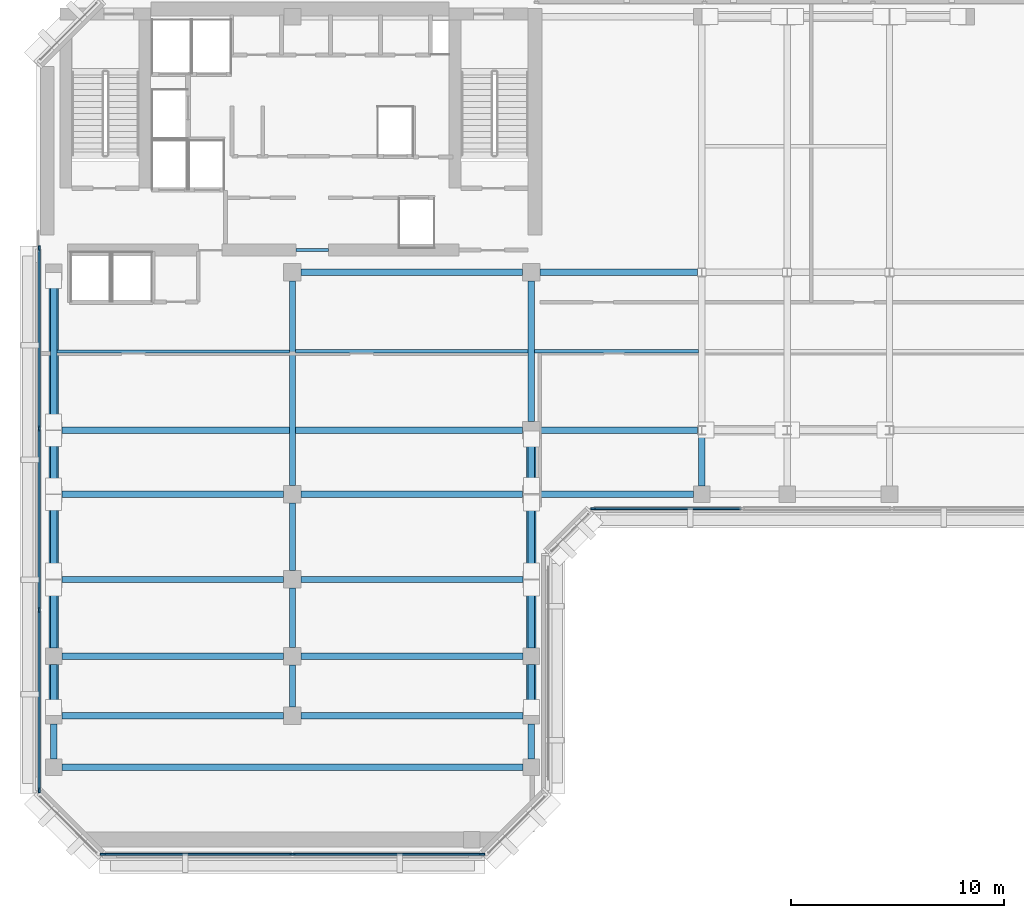
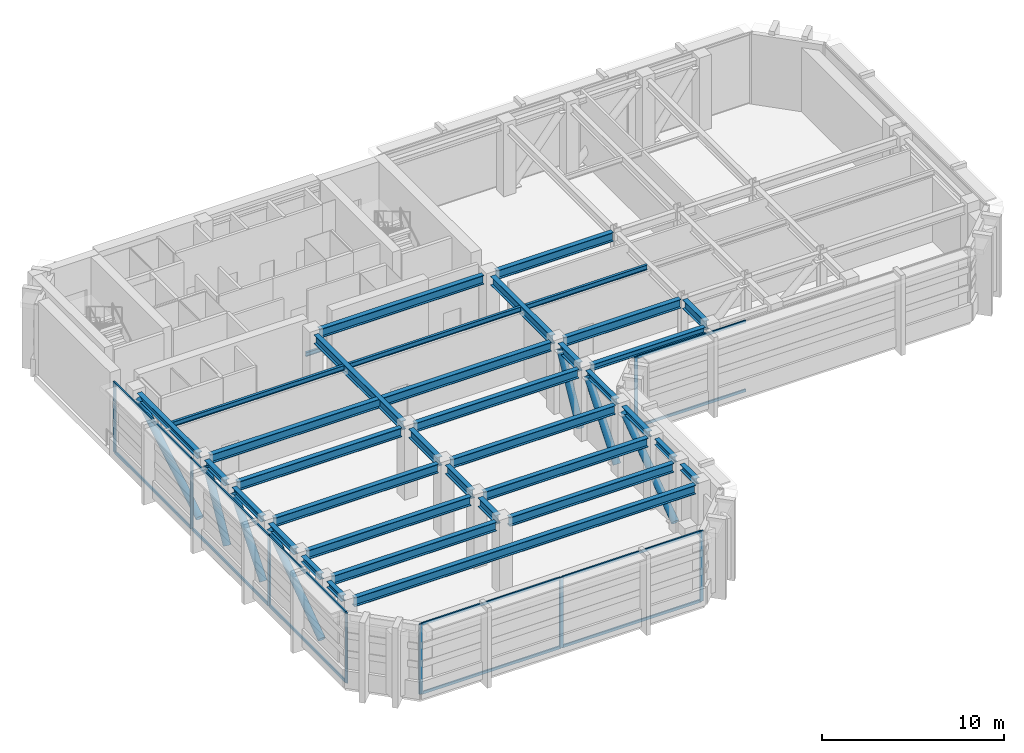
# One storey, part 2 of 11: 35 beams, 27 members, 3 elements without a shape of their own.
"""IFC4 building model written with IfcOpenShell, lengths in metres."""

from ifc_helpers import new_model, si_unit, direction, frame, origin, origin_2d, place, context, subcontext, project, spatial, rectangle, hollow_circle, i_section, extrude, material, layer, layer_set, material_profile, profile_set, type_object, element, aggregate, save


model = new_model("IFC4")

# Units and contexts
model_context = context("Model", 3, precision=1e-05, world=origin(), true_north=direction((0.0, 1.0)))
body_context = subcontext(model_context, "Body", "Model", "MODEL_VIEW")
ifc_project = project(units=[si_unit("LENGTHUNIT", "METRE"), si_unit("AREAUNIT", "SQUARE_METRE"), si_unit("VOLUMEUNIT", "CUBIC_METRE"), si_unit("PLANEANGLEUNIT", "RADIAN"), si_unit("MASSUNIT", "GRAM", prefix="KILO")], contexts=[model_context])

# Site, building, storey
site_placement = place(None, origin())
site = spatial("IfcSite", under=ifc_project, at=site_placement, CompositionType="ELEMENT")
building_placement = place(site_placement, origin())
building = spatial("IfcBuilding", under=site, at=building_placement, Name="Kefirva Bronze Tower", CompositionType="ELEMENT")
storey_placement = place(building_placement, frame((0.0, 0.0, 251.4599609375)))
storey = spatial("IfcBuildingStorey", under=building, at=storey_placement, Name="L61", CompositionType="ELEMENT", Elevation=251.4599609375)

# Curtain wall, members
ifc_material_1 = material(Name="Bronze anodised aluminium", Category="aluminium")
ifc_layer = layer(ifc_material_1, 0.219970703125, Name="Bronze anodised aluminium")
ifc_layer_set = layer_set([ifc_layer], Name="Bronze anodised aluminium")
curtain_wall_type = type_object("IfcCurtainWallType", Name="Refuge Acoustic Louvre Curtain Screen", PredefinedType="USERDEFINED", material=ifc_layer_set)
curtain_wall_1_placement = place(storey_placement, origin())
curtain_wall_1 = element("IfcCurtainWall", 1, at=curtain_wall_1_placement, inside=storey, type_object=curtain_wall_type, Name="L61 Curtain Wall 1", ObjectType="LOUVRE SCREEN WALL", PredefinedType="USERDEFINED")
ifc_material_profile_1 = material_profile(ifc_material_1, rectangle(XDim=0.090087890625, YDim=0.219970703125, at=origin_2d()), Name="ALU 90x220")
ifc_profile_set_1 = profile_set([ifc_material_profile_1], Name="Bronze anodised aluminium")
member_type_1 = type_object("IfcMemberType", Name="Bronze Mullion 90x220", PredefinedType="MULLION", material=ifc_profile_set_1)
member_1_placement = place(storey_placement, frame((3.10009765625, 5.919921875, 0.0), z_axis=(0.0, 0.0, 1.0), x_axis=(0.0, 1.0, 0.0)))
member_1 = element("IfcMember", 2, at=member_1_placement, type_object=member_type_1, Name="CW-06 mullion 1", PredefinedType="MULLION", context=body_context, shape_type="SweptSolid", body=[
    extrude(rectangle(XDim=0.090087890625, YDim=0.219970703125, at=origin_2d()), origin(), (0.0, 0.0, 1.0), 4.699951171875),
])
member_2_placement = place(storey_placement, frame((12.0, 5.919921875, 0.0), z_axis=(0.0, 0.0, 1.0), x_axis=(0.0, 1.0, 0.0)))
member_2 = element("IfcMember", 3, at=member_2_placement, type_object=member_type_1, Name="CW-06 mullion 2", PredefinedType="MULLION", context=body_context, shape_type="SweptSolid", body=[
    extrude(rectangle(XDim=0.090087890625, YDim=0.219970703125, at=origin_2d()), origin(), (0.0, 0.0, 1.0), 4.699951171875),
])
member_3_placement = place(storey_placement, frame((20.89990234375, 5.919921875, 0.0), z_axis=(0.0, 0.0, 1.0), x_axis=(0.0, 1.0, 0.0)))
member_3 = element("IfcMember", 4, at=member_3_placement, type_object=member_type_1, Name="CW-06 mullion 3", PredefinedType="MULLION", context=body_context, shape_type="SweptSolid", body=[
    extrude(rectangle(XDim=0.090087890625, YDim=0.219970703125, at=origin_2d()), origin(), (0.0, 0.0, 1.0), 4.699951171875),
])

# Curtain wall, member
curtain_wall_2_placement = place(storey_placement, origin())
curtain_wall_2 = element("IfcCurtainWall", 5, at=curtain_wall_2_placement, inside=storey, type_object=curtain_wall_type, Name="L61 Curtain Wall 2", ObjectType="LOUVRE SCREEN WALL", PredefinedType="USERDEFINED")
member_4_placement = place(storey_placement, frame((26.10009765625, 22.1201171875, 0.0), z_axis=(0.0, 0.0, 1.0), x_axis=(0.0, 1.0, 0.0)))
member_4 = element("IfcMember", 6, at=member_4_placement, type_object=member_type_1, Name="CW-06 mullion 1", PredefinedType="MULLION", context=body_context, shape_type="SweptSolid", body=[
    extrude(rectangle(XDim=0.090087890625, YDim=0.219970703125, at=origin_2d()), origin(), (0.0, 0.0, 1.0), 4.699951171875),
])

# Curtain wall, members
curtain_wall_3_placement = place(storey_placement, origin())
curtain_wall_3 = element("IfcCurtainWall", 7, at=curtain_wall_3_placement, inside=storey, type_object=curtain_wall_type, Name="L61 Curtain Wall 5", ObjectType="LOUVRE SCREEN WALL", PredefinedType="USERDEFINED")
member_5_placement = place(storey_placement, frame((0.1201171875, 34.35009765625, 0.0), z_axis=(0.0, 0.0, 1.0), x_axis=(1.0, 0.0, 0.0)))
member_5 = element("IfcMember", 8, at=member_5_placement, type_object=member_type_1, Name="CW-06 mullion 1", PredefinedType="MULLION", context=body_context, shape_type="SweptSolid", body=[
    extrude(rectangle(XDim=0.090087890625, YDim=0.219970703125, at=origin_2d()), origin(), (0.0, 0.0, 1.0), 4.699951171875),
])
member_6_placement = place(storey_placement, frame((0.1201171875, 25.881591796875, 0.0), z_axis=(0.0, 0.0, 1.0), x_axis=(1.0, 0.0, 0.0)))
member_6 = element("IfcMember", 9, at=member_6_placement, type_object=member_type_1, Name="CW-06 mullion 2", PredefinedType="MULLION", context=body_context, shape_type="SweptSolid", body=[
    extrude(rectangle(XDim=0.090087890625, YDim=0.219970703125, at=origin_2d()), origin(), (0.0, 0.0, 1.0), 4.699951171875),
])
member_7_placement = place(storey_placement, frame((0.1201171875, 17.368408203125, 0.0), z_axis=(0.0, 0.0, 1.0), x_axis=(1.0, 0.0, 0.0)))
member_7 = element("IfcMember", 10, at=member_7_placement, type_object=member_type_1, Name="CW-06 mullion 3", PredefinedType="MULLION", context=body_context, shape_type="SweptSolid", body=[
    extrude(rectangle(XDim=0.090087890625, YDim=0.219970703125, at=origin_2d()), origin(), (0.0, 0.0, 1.0), 4.699951171875),
])
member_8_placement = place(storey_placement, frame((0.1201171875, 8.89990234375, 0.0), z_axis=(0.0, 0.0, 1.0), x_axis=(1.0, 0.0, 0.0)))
member_8 = element("IfcMember", 11, at=member_8_placement, type_object=member_type_1, Name="CW-06 mullion 4", PredefinedType="MULLION", context=body_context, shape_type="SweptSolid", body=[
    extrude(rectangle(XDim=0.090087890625, YDim=0.219970703125, at=origin_2d()), origin(), (0.0, 0.0, 1.0), 4.699951171875),
])

# Member
ifc_material_profile_2 = material_profile(ifc_material_1, rectangle(XDim=0.090087890625, YDim=0.179931640625, at=origin_2d()), Name="ALU 90x180")
ifc_profile_set_2 = profile_set([ifc_material_profile_2], Name="Bronze anodised aluminium")
member_type_2 = type_object("IfcMemberType", Name="Bronze Transom 90x180", PredefinedType="USERDEFINED", material=ifc_profile_set_2)
member_9_placement = place(storey_placement, frame((3.14501953125, 5.919921875, 0.044921875), z_axis=(1.0, 0.0, 0.0), x_axis=(0.0, 1.0, 0.0)))
member_9 = element("IfcMember", 12, at=member_9_placement, type_object=member_type_2, Name="CW-06 transom 1.1", ObjectType="TRANSOM", PredefinedType="USERDEFINED", context=body_context, shape_type="SweptSolid", body=[
    extrude(rectangle(XDim=0.090087890625, YDim=0.179931640625, at=origin_2d()), origin(), (0.0, 0.0, 1.0), 8.81005859375),
])

member_10_placement = place(storey_placement, frame((3.14501953125, 5.919921875, 4.655029296875), z_axis=(1.0, 0.0, 0.0), x_axis=(0.0, 1.0, 0.0)))
member_10 = element("IfcMember", 13, at=member_10_placement, type_object=member_type_2, Name="CW-06 transom 1.2", ObjectType="TRANSOM", PredefinedType="USERDEFINED", context=body_context, shape_type="SweptSolid", body=[
    extrude(rectangle(XDim=0.090087890625, YDim=0.179931640625, at=origin_2d()), origin(), (0.0, 0.0, 1.0), 8.81005859375),
])

member_11_placement = place(storey_placement, frame((12.044921875, 5.919921875, 0.044921875), z_axis=(1.0, 0.0, 0.0), x_axis=(0.0, 1.0, 0.0)))
member_11 = element("IfcMember", 14, at=member_11_placement, type_object=member_type_2, Name="CW-06 transom 2.1", ObjectType="TRANSOM", PredefinedType="USERDEFINED", context=body_context, shape_type="SweptSolid", body=[
    extrude(rectangle(XDim=0.090087890625, YDim=0.179931640625, at=origin_2d()), origin(), (0.0, 0.0, 1.0), 8.81005859375),
])

member_12_placement = place(storey_placement, frame((12.044921875, 5.919921875, 4.655029296875), z_axis=(1.0, 0.0, 0.0), x_axis=(0.0, 1.0, 0.0)))
member_12 = element("IfcMember", 15, at=member_12_placement, type_object=member_type_2, Name="CW-06 transom 2.2", ObjectType="TRANSOM", PredefinedType="USERDEFINED", context=body_context, shape_type="SweptSolid", body=[
    extrude(rectangle(XDim=0.090087890625, YDim=0.179931640625, at=origin_2d()), origin(), (0.0, 0.0, 1.0), 8.81005859375),
])

aggregate(curtain_wall_1, [member_1, member_2, member_3, member_9, member_10, member_11, member_12])

member_13_placement = place(storey_placement, frame((26.14501953125, 22.1201171875, 0.044921875), z_axis=(1.0, 0.0, 0.0), x_axis=(0.0, 1.0, 0.0)))
member_13 = element("IfcMember", 16, at=member_13_placement, type_object=member_type_2, Name="CW-06 transom 1.1", ObjectType="TRANSOM", PredefinedType="USERDEFINED", context=body_context, shape_type="SweptSolid", body=[
    extrude(rectangle(XDim=0.090087890625, YDim=0.179931640625, at=origin_2d()), origin(), (0.0, 0.0, 1.0), 6.89501953125),
])

member_14_placement = place(storey_placement, frame((26.14501953125, 22.1201171875, 4.655029296875), z_axis=(1.0, 0.0, 0.0), x_axis=(0.0, 1.0, 0.0)))
member_14 = element("IfcMember", 17, at=member_14_placement, type_object=member_type_2, Name="CW-06 transom 1.2", ObjectType="TRANSOM", PredefinedType="USERDEFINED", context=body_context, shape_type="SweptSolid", body=[
    extrude(rectangle(XDim=0.090087890625, YDim=0.179931640625, at=origin_2d()), origin(), (0.0, 0.0, 1.0), 6.89501953125),
])

aggregate(curtain_wall_2, [member_4, member_13, member_14])

member_15_placement = place(storey_placement, frame((0.1201171875, 34.304931640625, 0.044921875), z_axis=(0.0, -1.0, 0.0), x_axis=(1.0, 0.0, 0.0)))
member_15 = element("IfcMember", 18, at=member_15_placement, type_object=member_type_2, Name="CW-06 transom 1.1", ObjectType="TRANSOM", PredefinedType="USERDEFINED", context=body_context, shape_type="SweptSolid", body=[
    extrude(rectangle(XDim=0.090087890625, YDim=0.179931640625, at=origin_2d()), origin(), (0.0, 0.0, 1.0), 8.378173828125),
])

member_16_placement = place(storey_placement, frame((0.1201171875, 34.304931640625, 4.655029296875), z_axis=(0.0, -1.0, 0.0), x_axis=(1.0, 0.0, 0.0)))
member_16 = element("IfcMember", 19, at=member_16_placement, type_object=member_type_2, Name="CW-06 transom 1.2", ObjectType="TRANSOM", PredefinedType="USERDEFINED", context=body_context, shape_type="SweptSolid", body=[
    extrude(rectangle(XDim=0.090087890625, YDim=0.179931640625, at=origin_2d()), origin(), (0.0, 0.0, 1.0), 8.378173828125),
])

member_17_placement = place(storey_placement, frame((0.1201171875, 25.836669921875, 0.044921875), z_axis=(0.0, -1.0, 0.0), x_axis=(1.0, 0.0, 0.0)))
member_17 = element("IfcMember", 20, at=member_17_placement, type_object=member_type_2, Name="CW-06 transom 2.1", ObjectType="TRANSOM", PredefinedType="USERDEFINED", context=body_context, shape_type="SweptSolid", body=[
    extrude(rectangle(XDim=0.090087890625, YDim=0.179931640625, at=origin_2d()), origin(), (0.0, 0.0, 1.0), 8.42333984375),
])

member_18_placement = place(storey_placement, frame((0.1201171875, 25.836669921875, 4.655029296875), z_axis=(0.0, -1.0, 0.0), x_axis=(1.0, 0.0, 0.0)))
member_18 = element("IfcMember", 21, at=member_18_placement, type_object=member_type_2, Name="CW-06 transom 2.2", ObjectType="TRANSOM", PredefinedType="USERDEFINED", context=body_context, shape_type="SweptSolid", body=[
    extrude(rectangle(XDim=0.090087890625, YDim=0.179931640625, at=origin_2d()), origin(), (0.0, 0.0, 1.0), 8.42333984375),
])

member_19_placement = place(storey_placement, frame((0.1201171875, 17.3232421875, 0.044921875), z_axis=(0.0, -1.0, 0.0), x_axis=(1.0, 0.0, 0.0)))
member_19 = element("IfcMember", 22, at=member_19_placement, type_object=member_type_2, Name="CW-06 transom 3.1", ObjectType="TRANSOM", PredefinedType="USERDEFINED", context=body_context, shape_type="SweptSolid", body=[
    extrude(rectangle(XDim=0.090087890625, YDim=0.179931640625, at=origin_2d()), origin(), (0.0, 0.0, 1.0), 8.378173828125),
])

member_20_placement = place(storey_placement, frame((0.1201171875, 17.3232421875, 4.655029296875), z_axis=(0.0, -1.0, 0.0), x_axis=(1.0, 0.0, 0.0)))
member_20 = element("IfcMember", 23, at=member_20_placement, type_object=member_type_2, Name="CW-06 transom 3.2", ObjectType="TRANSOM", PredefinedType="USERDEFINED", context=body_context, shape_type="SweptSolid", body=[
    extrude(rectangle(XDim=0.090087890625, YDim=0.179931640625, at=origin_2d()), origin(), (0.0, 0.0, 1.0), 8.378173828125),
])

aggregate(curtain_wall_3, [member_5, member_6, member_7, member_8, member_15, member_16, member_17, member_18, member_19, member_20])

# Beams
ifc_material_2 = material(Name="Steel S355", Category="steel")
ifc_material_profile_3 = material_profile(ifc_material_2, i_section(OverallWidth=0.159912109375, OverallDepth=0.330078125, WebThickness=0.007568359375, FlangeThickness=0.011474609375, at=origin_2d()), Name="IPE 330")
ifc_profile_set_3 = profile_set([ifc_material_profile_3], Name="Steel S355")
beam_type_1 = type_object("IfcBeamType", Name="Steel Floor Joist IPE 330", PredefinedType="JOIST", material=ifc_profile_set_3)
for number, where, z_axis, x_axis, name in (
    (24, (0.949951171875, 29.489990234375, 4.53515625), (1.0, 0.0, 0.0), (0.0, 1.0, 0.0), "L61 JST-L61-0-294"),
    (25, (12.14990234375, 29.5, 4.53515625), (1.0, 0.0, 0.0), (0.0, 1.0, 0.0), "L61 JST-L61-12-295"),
):
    element("IfcBeam", number, at=place(storey_placement, frame(where, z_axis=z_axis, x_axis=x_axis)), inside=storey, type_object=beam_type_1, Name=name, PredefinedType="JOIST", context=body_context, shape_type="SweptSolid", body=[
        extrude(i_section(OverallWidth=0.159912109375, OverallDepth=0.330078125, WebThickness=0.007568359375, FlangeThickness=0.011474609375, at=origin_2d()), origin(), (0.0, 0.0, 1.0), 10.900146484375),
    ])
beam_1_placement = place(storey_placement, frame((23.35009765625, 29.5, 4.53515625), z_axis=(1.0, 0.0, 0.0), x_axis=(0.0, 1.0, 0.0)))
element("IfcBeam", 26, at=beam_1_placement, inside=storey, type_object=beam_type_1, Name="L61 JST-L61-23-295", PredefinedType="JOIST", context=body_context, shape_type="SweptSolid", body=[
    extrude(i_section(OverallWidth=0.159912109375, OverallDepth=0.330078125, WebThickness=0.007568359375, FlangeThickness=0.011474609375, at=origin_2d()), origin(), (0.0, 0.0, 1.0), 7.699951171875),
])
ifc_material_profile_4 = material_profile(ifc_material_2, i_section(OverallWidth=0.300048828125, OverallDepth=0.60009765625, WebThickness=0.015380859375, FlangeThickness=0.030029296875, at=origin_2d()), Name="HEB 600")
ifc_profile_set_4 = profile_set([ifc_material_profile_4], Name="Steel S355")
beam_type_2 = type_object("IfcBeamType", Name="Steel Girder HEB 600", PredefinedType="USERDEFINED", material=ifc_profile_set_4)
beam_2_placement = place(storey_placement, frame((1.18994140625, 10.0, 4.400146484375), z_axis=(1.0, 0.0, 0.0), x_axis=(0.0, 1.0, 0.0)))
element("IfcBeam", 27, at=beam_2_placement, inside=storey, type_object=beam_type_2, Name="L61 BM-L61-EW-0-100", ObjectType="GIRDER", PredefinedType="USERDEFINED", context=body_context, shape_type="SweptSolid", body=[
    extrude(i_section(OverallWidth=0.300048828125, OverallDepth=0.60009765625, WebThickness=0.015380859375, FlangeThickness=0.030029296875, at=origin_2d()), origin(), (0.0, 0.0, 1.0), 21.6201171875),
])
for number, where, z_axis, x_axis, name in (
    (28, (1.18994140625, 12.39990234375, 4.400146484375), (1.0, 0.0, 0.0), (0.0, 1.0, 0.0), "L61 BM-L61-EW-0-124"),
    (29, (12.409912109375, 12.39990234375, 4.400146484375), (1.0, 0.0, 0.0), (0.0, 1.0, 0.0), "L61 BM-L61-EW-12-124"),
    (30, (1.18994140625, 15.199951171875, 4.400146484375), (1.0, 0.0, 0.0), (0.0, 1.0, 0.0), "L61 BM-L61-EW-0-152"),
    (31, (12.409912109375, 15.199951171875, 4.400146484375), (1.0, 0.0, 0.0), (0.0, 1.0, 0.0), "L61 BM-L61-EW-12-152"),
    (32, (1.18994140625, 18.800048828125, 4.400146484375), (1.0, 0.0, 0.0), (0.0, 1.0, 0.0), "L61 BM-L61-EW-0-188"),
    (33, (12.409912109375, 18.800048828125, 4.400146484375), (1.0, 0.0, 0.0), (0.0, 1.0, 0.0), "L61 BM-L61-EW-12-188"),
    (34, (1.18994140625, 22.800048828125, 4.400146484375), (1.0, 0.0, 0.0), (0.0, 1.0, 0.0), "L61 BM-L61-EW-0-228"),
):
    element("IfcBeam", number, at=place(storey_placement, frame(where, z_axis=z_axis, x_axis=x_axis)), inside=storey, type_object=beam_type_2, Name=name, ObjectType="GIRDER", PredefinedType="USERDEFINED", context=body_context, shape_type="SweptSolid", body=[
        extrude(i_section(OverallWidth=0.300048828125, OverallDepth=0.60009765625, WebThickness=0.015380859375, FlangeThickness=0.030029296875, at=origin_2d()), origin(), (0.0, 0.0, 1.0), 10.400146484375),
    ])
beam_3_placement = place(storey_placement, frame((12.409912109375, 22.800048828125, 4.400146484375), z_axis=(1.0, 0.0, 0.0), x_axis=(0.0, 1.0, 0.0)))
element("IfcBeam", 35, at=beam_3_placement, inside=storey, type_object=beam_type_2, Name="L61 BM-L61-EW-12-228", ObjectType="GIRDER", PredefinedType="USERDEFINED", context=body_context, shape_type="SweptSolid", body=[
    extrude(i_section(OverallWidth=0.300048828125, OverallDepth=0.60009765625, WebThickness=0.015380859375, FlangeThickness=0.030029296875, at=origin_2d()), origin(), (0.0, 0.0, 1.0), 10.380126953125),
])
beam_4_placement = place(storey_placement, frame((1.18994140625, 25.800048828125, 4.400146484375), z_axis=(1.0, 0.0, 0.0), x_axis=(0.0, 1.0, 0.0)))
element("IfcBeam", 36, at=beam_4_placement, inside=storey, type_object=beam_type_2, Name="L61 BM-L61-EW-0-258", ObjectType="GIRDER", PredefinedType="USERDEFINED", context=body_context, shape_type="SweptSolid", body=[
    extrude(i_section(OverallWidth=0.300048828125, OverallDepth=0.60009765625, WebThickness=0.015380859375, FlangeThickness=0.030029296875, at=origin_2d()), origin(), (0.0, 0.0, 1.0), 21.60009765625),
])
beam_5_placement = place(storey_placement, frame((23.610107421875, 25.800048828125, 4.400146484375), z_axis=(1.0, 0.0, 0.0), x_axis=(0.0, 1.0, 0.0)))
element("IfcBeam", 37, at=beam_5_placement, inside=storey, type_object=beam_type_2, Name="L61 BM-L61-EW-23-258", ObjectType="GIRDER", PredefinedType="USERDEFINED", context=body_context, shape_type="SweptSolid", body=[
    extrude(i_section(OverallWidth=0.300048828125, OverallDepth=0.60009765625, WebThickness=0.015380859375, FlangeThickness=0.030029296875, at=origin_2d()), origin(), (0.0, 0.0, 1.0), 7.3837890625),
])
beam_6_placement = place(storey_placement, frame((12.409912109375, 33.199951171875, 4.400146484375), z_axis=(1.0, 0.0, 0.0), x_axis=(0.0, 1.0, 0.0)))
element("IfcBeam", 38, at=beam_6_placement, inside=storey, type_object=beam_type_2, Name="L61 BM-L61-EW-12-332", ObjectType="GIRDER", PredefinedType="USERDEFINED", context=body_context, shape_type="SweptSolid", body=[
    extrude(i_section(OverallWidth=0.300048828125, OverallDepth=0.60009765625, WebThickness=0.015380859375, FlangeThickness=0.030029296875, at=origin_2d()), origin(), (0.0, 0.0, 1.0), 10.380126953125),
])
beam_7_placement = place(storey_placement, frame((23.610107421875, 33.199951171875, 4.400146484375), z_axis=(1.0, 0.0, 0.0), x_axis=(0.0, 1.0, 0.0)))
element("IfcBeam", 39, at=beam_7_placement, inside=storey, type_object=beam_type_2, Name="L61 BM-L61-EW-23-332", ObjectType="GIRDER", PredefinedType="USERDEFINED", context=body_context, shape_type="SweptSolid", body=[
    extrude(i_section(OverallWidth=0.300048828125, OverallDepth=0.60009765625, WebThickness=0.015380859375, FlangeThickness=0.030029296875, at=origin_2d()), origin(), (0.0, 0.0, 1.0), 7.3837890625),
])
beam_8_placement = place(storey_placement, frame((12.0, 12.81005859375, 4.400146484375), z_axis=(0.0, 1.0, 0.0), x_axis=(-1.0, 0.0, 0.0)))
element("IfcBeam", 40, at=beam_8_placement, inside=storey, type_object=beam_type_2, Name="L61 BM-L61-NS-120-12", ObjectType="GIRDER", PredefinedType="USERDEFINED", context=body_context, shape_type="SweptSolid", body=[
    extrude(i_section(OverallWidth=0.300048828125, OverallDepth=0.60009765625, WebThickness=0.015380859375, FlangeThickness=0.030029296875, at=origin_2d()), origin(), (0.0, 0.0, 1.0), 1.97998046875),
])
beam_9_placement = place(storey_placement, frame((12.0, 15.610107421875, 4.400146484375), z_axis=(0.0, 1.0, 0.0), x_axis=(-1.0, 0.0, 0.0)))
element("IfcBeam", 41, at=beam_9_placement, inside=storey, type_object=beam_type_2, Name="L61 BM-L61-NS-120-15", ObjectType="GIRDER", PredefinedType="USERDEFINED", context=body_context, shape_type="SweptSolid", body=[
    extrude(i_section(OverallWidth=0.300048828125, OverallDepth=0.60009765625, WebThickness=0.015380859375, FlangeThickness=0.030029296875, at=origin_2d()), origin(), (0.0, 0.0, 1.0), 2.77978515625),
])
beam_10_placement = place(storey_placement, frame((12.0, 19.2099609375, 4.400146484375), z_axis=(0.0, 1.0, 0.0), x_axis=(-1.0, 0.0, 0.0)))
element("IfcBeam", 42, at=beam_10_placement, inside=storey, type_object=beam_type_2, Name="L61 BM-L61-NS-120-18", ObjectType="GIRDER", PredefinedType="USERDEFINED", context=body_context, shape_type="SweptSolid", body=[
    extrude(i_section(OverallWidth=0.300048828125, OverallDepth=0.60009765625, WebThickness=0.015380859375, FlangeThickness=0.030029296875, at=origin_2d()), origin(), (0.0, 0.0, 1.0), 3.179931640625),
])
beam_11_placement = place(storey_placement, frame((12.0, 23.2099609375, 4.400146484375), z_axis=(0.0, 1.0, 0.0), x_axis=(-1.0, 0.0, 0.0)))
element("IfcBeam", 43, at=beam_11_placement, inside=storey, type_object=beam_type_2, Name="L61 BM-L61-NS-120-22", ObjectType="GIRDER", PredefinedType="USERDEFINED", context=body_context, shape_type="SweptSolid", body=[
    extrude(i_section(OverallWidth=0.300048828125, OverallDepth=0.60009765625, WebThickness=0.015380859375, FlangeThickness=0.030029296875, at=origin_2d()), origin(), (0.0, 0.0, 1.0), 9.580078125),
])
beam_12_placement = place(storey_placement, frame((23.199951171875, 23.2099609375, 4.400146484375), z_axis=(0.0, 1.0, 0.0), x_axis=(-1.0, 0.0, 0.0)))
element("IfcBeam", 44, at=beam_12_placement, inside=storey, type_object=beam_type_2, Name="L61 BM-L61-NS-232-22", ObjectType="GIRDER", PredefinedType="USERDEFINED", context=body_context, shape_type="SweptSolid", body=[
    extrude(i_section(OverallWidth=0.300048828125, OverallDepth=0.60009765625, WebThickness=0.015380859375, FlangeThickness=0.030029296875, at=origin_2d()), origin(), (0.0, 0.0, 1.0), 2.179931640625),
])
beam_13_placement = place(storey_placement, frame((23.199951171875, 26.2099609375, 4.400146484375), z_axis=(0.0, 1.0, 0.0), x_axis=(-1.0, 0.0, 0.0)))
element("IfcBeam", 45, at=beam_13_placement, inside=storey, type_object=beam_type_2, Name="L61 BM-L61-NS-232-25", ObjectType="GIRDER", PredefinedType="USERDEFINED", context=body_context, shape_type="SweptSolid", body=[
    extrude(i_section(OverallWidth=0.300048828125, OverallDepth=0.60009765625, WebThickness=0.015380859375, FlangeThickness=0.030029296875, at=origin_2d()), origin(), (0.0, 0.0, 1.0), 6.580078125),
])
beam_14_placement = place(storey_placement, frame((31.199951171875, 23.18994140625, 4.400146484375), z_axis=(0.0, 1.0, 0.0), x_axis=(-1.0, 0.0, 0.0)))
element("IfcBeam", 46, at=beam_14_placement, inside=storey, type_object=beam_type_2, Name="L61 BM-L61-NS-312-22", ObjectType="GIRDER", PredefinedType="USERDEFINED", context=body_context, shape_type="SweptSolid", body=[
    extrude(i_section(OverallWidth=0.300048828125, OverallDepth=0.60009765625, WebThickness=0.015380859375, FlangeThickness=0.030029296875, at=origin_2d()), origin(), (0.0, 0.0, 1.0), 2.392578125),
])
ifc_material_profile_5 = material_profile(ifc_material_2, i_section(OverallWidth=0.135009765625, OverallDepth=0.27001953125, WebThickness=0.006591796875, FlangeThickness=0.01025390625, at=origin_2d()), Name="IPE 270")
ifc_profile_set_5 = profile_set([ifc_material_profile_5], Name="Steel S355")
beam_type_3 = type_object("IfcBeamType", Name="Steel Opening Lintel IPE 270", PredefinedType="LINTEL", material=ifc_profile_set_5)
beam_15_placement = place(storey_placement, frame((12.159912109375, 34.25, 2.400146484375), z_axis=(1.0, 0.0, 0.0), x_axis=(0.0, 1.0, 0.0)))
element("IfcBeam", 47, at=beam_15_placement, inside=storey, type_object=beam_type_3, Name="L61 Core Lobby Lintel", PredefinedType="LINTEL", context=body_context, shape_type="SweptSolid", body=[
    extrude(i_section(OverallWidth=0.135009765625, OverallDepth=0.27001953125, WebThickness=0.006591796875, FlangeThickness=0.01025390625, at=origin_2d()), origin(), (0.0, 0.0, 1.0), 1.52001953125),
])

# Members
ifc_material_3 = material(Name="Steel S460", Category="steel")
ifc_material_profile_6 = material_profile(ifc_material_3, hollow_circle(Radius=0.228515625, WallThickness=0.01611328125, at=origin_2d()), Name="CHS 457x16")
ifc_profile_set_6 = profile_set([ifc_material_profile_6], Name="Steel S460")
member_type_3 = type_object("IfcMemberType", Name="Steel Portal Brace CHS 457x16", PredefinedType="BRACE", material=ifc_profile_set_6)
member_21_placement = place(storey_placement, frame((0.800048828125, 12.7900390625, 0.300048828125), z_axis=(0.0, 0.814705630859, 0.579874758069), x_axis=(-1.0, 0.0, 0.0)))
element("IfcMember", 48, at=member_21_placement, inside=storey, type_object=member_type_3, Name="L61 Outrigger Belt Brace 1", PredefinedType="BRACE", context=body_context, shape_type="SweptSolid", body=[
    extrude(hollow_circle(Radius=0.228515625, WallThickness=0.01611328125, at=origin_2d()), origin(), (0.0, 0.0, 1.0), 6.89794921875),
])
member_22_placement = place(storey_placement, frame((0.800048828125, 19.18994140625, 0.300048828125), z_axis=(0.0, 0.627063590623, 0.77896806951), x_axis=(-1.0, 0.0, 0.0)))
element("IfcMember", 49, at=member_22_placement, inside=storey, type_object=member_type_3, Name="L61 Outrigger Belt Brace 2", PredefinedType="BRACE", context=body_context, shape_type="SweptSolid", body=[
    extrude(hollow_circle(Radius=0.228515625, WallThickness=0.01611328125, at=origin_2d()), origin(), (0.0, 0.0, 1.0), 5.135009765625),
])
member_23_placement = place(storey_placement, frame((0.800048828125, 23.18994140625, 0.300048828125), z_axis=(0.0, 0.485266799404, 0.874366132347), x_axis=(-1.0, 0.0, 0.0)))
element("IfcMember", 50, at=member_23_placement, inside=storey, type_object=member_type_3, Name="L61 Outrigger Belt Brace 3", PredefinedType="BRACE", context=body_context, shape_type="SweptSolid", body=[
    extrude(hollow_circle(Radius=0.228515625, WallThickness=0.01611328125, at=origin_2d()), origin(), (0.0, 0.0, 1.0), 4.57470703125),
])
member_24_placement = place(storey_placement, frame((0.800048828125, 26.18994140625, 0.300048828125), z_axis=(0.0, 0.855895749692, 0.517148398102), x_axis=(-1.0, 0.0, 0.0)))
element("IfcMember", 51, at=member_24_placement, inside=storey, type_object=member_type_3, Name="L61 Outrigger Belt Brace 4", PredefinedType="BRACE", context=body_context, shape_type="SweptSolid", body=[
    extrude(hollow_circle(Radius=0.228515625, WallThickness=0.01611328125, at=origin_2d()), origin(), (0.0, 0.0, 1.0), 7.734619140625),
])
member_25_placement = place(storey_placement, frame((23.199951171875, 12.7900390625, 0.300048828125), z_axis=(0.0, 0.814705630859, 0.579874758069), x_axis=(-1.0, 0.0, 0.0)))
element("IfcMember", 52, at=member_25_placement, inside=storey, type_object=member_type_3, Name="L61 Outrigger Belt Brace 5", PredefinedType="BRACE", context=body_context, shape_type="SweptSolid", body=[
    extrude(hollow_circle(Radius=0.228515625, WallThickness=0.01611328125, at=origin_2d()), origin(), (0.0, 0.0, 1.0), 6.89794921875),
])
member_26_placement = place(storey_placement, frame((23.199951171875, 19.18994140625, 0.300048828125), z_axis=(0.0, 0.624689235253, 0.780873459249), x_axis=(-1.0, 0.0, 0.0)))
element("IfcMember", 53, at=member_26_placement, inside=storey, type_object=member_type_3, Name="L61 Outrigger Belt Brace 6", PredefinedType="BRACE", context=body_context, shape_type="SweptSolid", body=[
    extrude(hollow_circle(Radius=0.228515625, WallThickness=0.01611328125, at=origin_2d()), origin(), (0.0, 0.0, 1.0), 5.12255859375),
])
member_27_placement = place(storey_placement, frame((23.199951171875, 23.2099609375, 0.300048828125), z_axis=(0.0, 0.478532929842, 0.878069607182), x_axis=(-1.0, 0.0, 0.0)))
element("IfcMember", 54, at=member_27_placement, inside=storey, type_object=member_type_3, Name="L61 Outrigger Belt Brace 7", PredefinedType="BRACE", context=body_context, shape_type="SweptSolid", body=[
    extrude(hollow_circle(Radius=0.228515625, WallThickness=0.01611328125, at=origin_2d()), origin(), (0.0, 0.0, 1.0), 4.555419921875),
])

# Beams
ifc_material_profile_7 = material_profile(ifc_material_2, i_section(OverallWidth=0.300048828125, OverallDepth=0.39990234375, WebThickness=0.013427734375, FlangeThickness=0.02392578125, at=origin_2d()), Name="HEB 400")
ifc_profile_set_7 = profile_set([ifc_material_profile_7], Name="Steel S355")
beam_type_4 = type_object("IfcBeamType", Name="Steel Spandrel HEB 400 Ext", PredefinedType="SPANDREL", material=ifc_profile_set_7)
beam_16_placement = place(storey_placement, frame((23.610107421875, 22.800048828125, 4.5), z_axis=(1.0, 0.0, 0.0), x_axis=(0.0, 1.0, 0.0)))
element("IfcBeam", 55, at=beam_16_placement, inside=storey, type_object=beam_type_4, Name="L61 BM-L61-EW-23-228", PredefinedType="SPANDREL", context=body_context, shape_type="SweptSolid", body=[
    extrude(i_section(OverallWidth=0.300048828125, OverallDepth=0.39990234375, WebThickness=0.013427734375, FlangeThickness=0.02392578125, at=origin_2d()), origin(), (0.0, 0.0, 1.0), 7.199951171875),
])
beam_17_placement = place(storey_placement, frame((0.800048828125, 10.389892578125, 4.5), z_axis=(0.0, 1.0, 0.0), x_axis=(-1.0, 0.0, 0.0)))
element("IfcBeam", 56, at=beam_17_placement, inside=storey, type_object=beam_type_4, Name="L61 BM-L61-NS-8-10", PredefinedType="SPANDREL", context=body_context, shape_type="SweptSolid", body=[
    extrude(i_section(OverallWidth=0.300048828125, OverallDepth=0.39990234375, WebThickness=0.013427734375, FlangeThickness=0.02392578125, at=origin_2d()), origin(), (0.0, 0.0, 1.0), 1.6201171875),
])
beam_18_placement = place(storey_placement, frame((0.800048828125, 12.7900390625, 4.5), z_axis=(0.0, 1.0, 0.0), x_axis=(-1.0, 0.0, 0.0)))
element("IfcBeam", 57, at=beam_18_placement, inside=storey, type_object=beam_type_4, Name="L61 BM-L61-NS-8-12", PredefinedType="SPANDREL", context=body_context, shape_type="SweptSolid", body=[
    extrude(i_section(OverallWidth=0.300048828125, OverallDepth=0.39990234375, WebThickness=0.013427734375, FlangeThickness=0.02392578125, at=origin_2d()), origin(), (0.0, 0.0, 1.0), 2.02001953125),
])
beam_19_placement = place(storey_placement, frame((0.800048828125, 15.590087890625, 4.5), z_axis=(0.0, 1.0, 0.0), x_axis=(-1.0, 0.0, 0.0)))
element("IfcBeam", 58, at=beam_19_placement, inside=storey, type_object=beam_type_4, Name="L61 BM-L61-NS-8-15", PredefinedType="SPANDREL", context=body_context, shape_type="SweptSolid", body=[
    extrude(i_section(OverallWidth=0.300048828125, OverallDepth=0.39990234375, WebThickness=0.013427734375, FlangeThickness=0.02392578125, at=origin_2d()), origin(), (0.0, 0.0, 1.0), 2.81982421875),
])
beam_20_placement = place(storey_placement, frame((0.800048828125, 19.18994140625, 4.5), z_axis=(0.0, 1.0, 0.0), x_axis=(-1.0, 0.0, 0.0)))
element("IfcBeam", 59, at=beam_20_placement, inside=storey, type_object=beam_type_4, Name="L61 BM-L61-NS-8-18", PredefinedType="SPANDREL", context=body_context, shape_type="SweptSolid", body=[
    extrude(i_section(OverallWidth=0.300048828125, OverallDepth=0.39990234375, WebThickness=0.013427734375, FlangeThickness=0.02392578125, at=origin_2d()), origin(), (0.0, 0.0, 1.0), 3.219970703125),
])
beam_21_placement = place(storey_placement, frame((0.800048828125, 23.18994140625, 4.5), z_axis=(0.0, 1.0, 0.0), x_axis=(-1.0, 0.0, 0.0)))
element("IfcBeam", 60, at=beam_21_placement, inside=storey, type_object=beam_type_4, Name="L61 BM-L61-NS-8-22", PredefinedType="SPANDREL", context=body_context, shape_type="SweptSolid", body=[
    extrude(i_section(OverallWidth=0.300048828125, OverallDepth=0.39990234375, WebThickness=0.013427734375, FlangeThickness=0.02392578125, at=origin_2d()), origin(), (0.0, 0.0, 1.0), 2.219970703125),
])
beam_22_placement = place(storey_placement, frame((0.800048828125, 26.18994140625, 4.5), z_axis=(0.0, 1.0, 0.0), x_axis=(-1.0, 0.0, 0.0)))
element("IfcBeam", 61, at=beam_22_placement, inside=storey, type_object=beam_type_4, Name="L61 BM-L61-NS-8-25", PredefinedType="SPANDREL", context=body_context, shape_type="SweptSolid", body=[
    extrude(i_section(OverallWidth=0.300048828125, OverallDepth=0.39990234375, WebThickness=0.013427734375, FlangeThickness=0.02392578125, at=origin_2d()), origin(), (0.0, 0.0, 1.0), 6.6201171875),
])
beam_23_placement = place(storey_placement, frame((23.199951171875, 10.389892578125, 4.5), z_axis=(0.0, 1.0, 0.0), x_axis=(-1.0, 0.0, 0.0)))
element("IfcBeam", 62, at=beam_23_placement, inside=storey, type_object=beam_type_4, Name="L61 BM-L61-NS-232-10", PredefinedType="SPANDREL", context=body_context, shape_type="SweptSolid", body=[
    extrude(i_section(OverallWidth=0.300048828125, OverallDepth=0.39990234375, WebThickness=0.013427734375, FlangeThickness=0.02392578125, at=origin_2d()), origin(), (0.0, 0.0, 1.0), 1.6201171875),
])
beam_24_placement = place(storey_placement, frame((23.199951171875, 12.7900390625, 4.5), z_axis=(0.0, 1.0, 0.0), x_axis=(-1.0, 0.0, 0.0)))
element("IfcBeam", 63, at=beam_24_placement, inside=storey, type_object=beam_type_4, Name="L61 BM-L61-NS-232-12", PredefinedType="SPANDREL", context=body_context, shape_type="SweptSolid", body=[
    extrude(i_section(OverallWidth=0.300048828125, OverallDepth=0.39990234375, WebThickness=0.013427734375, FlangeThickness=0.02392578125, at=origin_2d()), origin(), (0.0, 0.0, 1.0), 2.02001953125),
])
beam_25_placement = place(storey_placement, frame((23.199951171875, 15.590087890625, 4.5), z_axis=(0.0, 1.0, 0.0), x_axis=(-1.0, 0.0, 0.0)))
element("IfcBeam", 64, at=beam_25_placement, inside=storey, type_object=beam_type_4, Name="L61 BM-L61-NS-232-15", PredefinedType="SPANDREL", context=body_context, shape_type="SweptSolid", body=[
    extrude(i_section(OverallWidth=0.300048828125, OverallDepth=0.39990234375, WebThickness=0.013427734375, FlangeThickness=0.02392578125, at=origin_2d()), origin(), (0.0, 0.0, 1.0), 2.81982421875),
])
beam_26_placement = place(storey_placement, frame((23.199951171875, 19.18994140625, 4.5), z_axis=(0.0, 1.0, 0.0), x_axis=(-1.0, 0.0, 0.0)))
element("IfcBeam", 65, at=beam_26_placement, inside=storey, type_object=beam_type_4, Name="L61 BM-L61-NS-232-18", PredefinedType="SPANDREL", context=body_context, shape_type="SweptSolid", body=[
    extrude(i_section(OverallWidth=0.300048828125, OverallDepth=0.39990234375, WebThickness=0.013427734375, FlangeThickness=0.02392578125, at=origin_2d()), origin(), (0.0, 0.0, 1.0), 3.199951171875),
])

save(model, "model.ifc")
